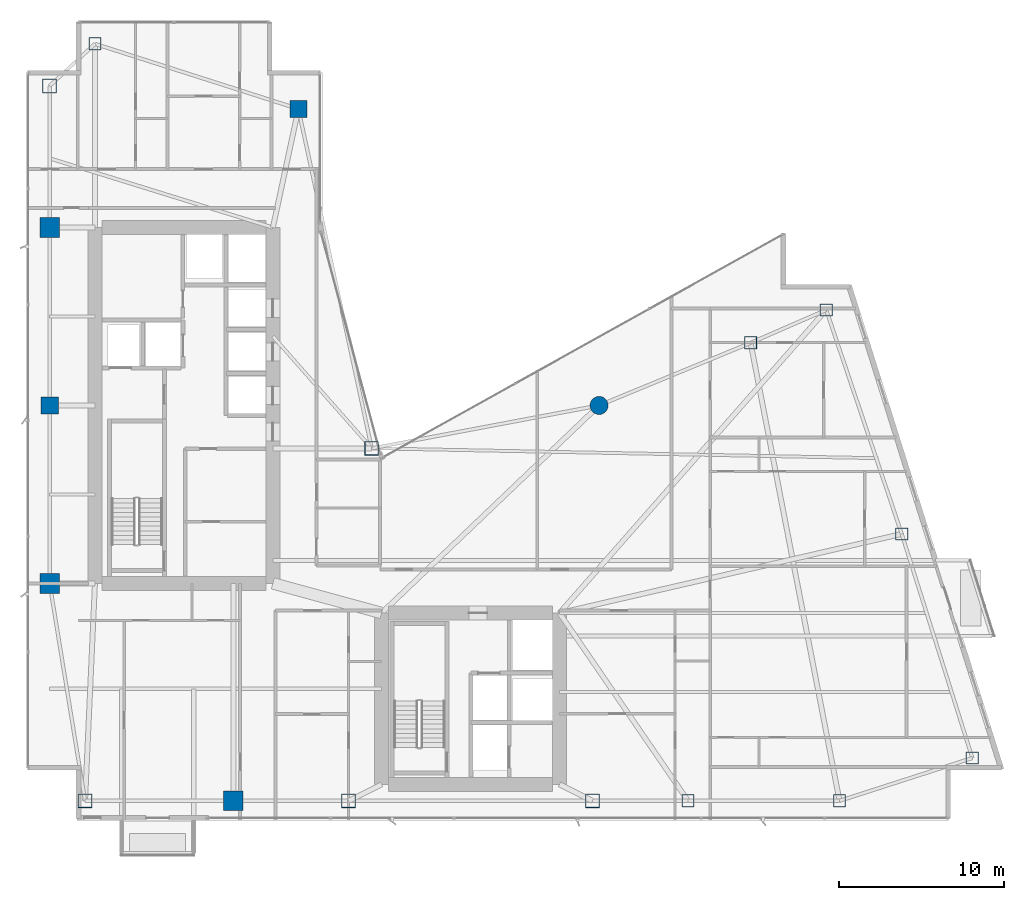
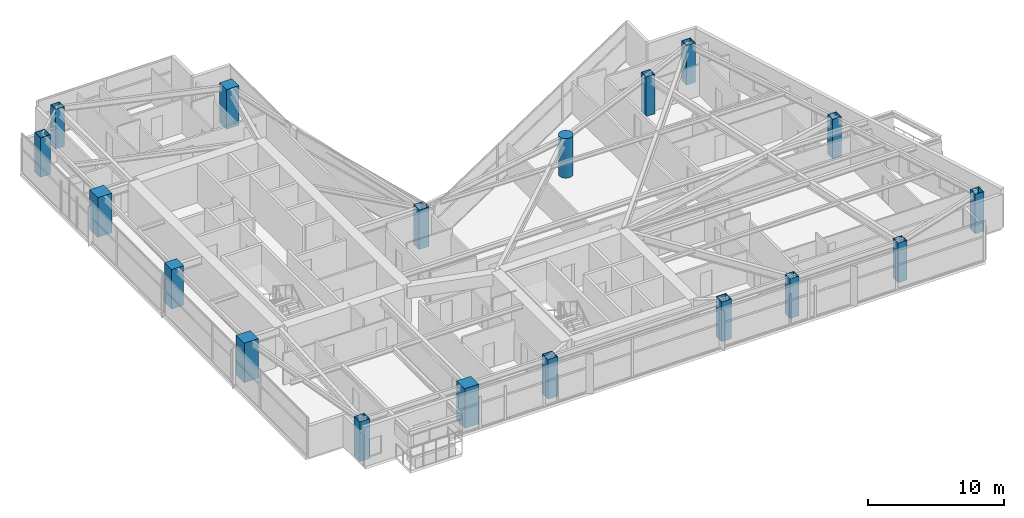
# One storey, part 1 of 28: 18 columns.
"""IFC4 building model written with IfcOpenShell, lengths in metres."""

from ifc_helpers import new_model, si_unit, direction, frame, origin, origin_2d, place, context, subcontext, project, spatial, rectangle, hollow_rectangle, circle, extrude, material, material_profile, profile_set, type_object, element, save


model = new_model("IFC4")

# Units and contexts
model_context = context("Model", 3, precision=1e-05, world=origin(), true_north=direction((0.0, 1.0)))
body_context = subcontext(model_context, "Body", "Model", "MODEL_VIEW")
ifc_project = project(units=[si_unit("LENGTHUNIT", "METRE"), si_unit("AREAUNIT", "SQUARE_METRE"), si_unit("VOLUMEUNIT", "CUBIC_METRE"), si_unit("PLANEANGLEUNIT", "RADIAN"), si_unit("MASSUNIT", "GRAM", prefix="KILO")], contexts=[model_context])

# Site, building, storey
site_placement = place(None, origin())
site = spatial("IfcSite", under=ifc_project, at=site_placement, CompositionType="ELEMENT")
building_placement = place(site_placement, origin())
building = spatial("IfcBuilding", under=site, at=building_placement, Name="Calvorn Quay Hotel", CompositionType="ELEMENT")
storey_placement = place(building_placement, frame((0.0, 0.0, 127.800048828125)))
storey = spatial("IfcBuildingStorey", under=building, at=storey_placement, Name="L31", CompositionType="ELEMENT", Elevation=127.800048828125)

# Columns
ifc_material_1 = material(Name="Concrete C50", Category="concrete")
ifc_material_profile_1 = material_profile(ifc_material_1, rectangle(XDim=1.050048828125, YDim=1.050048828125, at=origin_2d()), Name="RC1050x1050")
ifc_profile_set_1 = profile_set([ifc_material_profile_1], Name="Concrete C50")
column_type_1 = type_object("IfcColumnType", Name="COL-RC-1050", PredefinedType="COLUMN", material=ifc_profile_set_1)
for number, where, z_axis, x_axis, name in (
    (1, (1.449951171875, 27.60009765625, 0.0), (0.0, 0.0, 1.0), (1.0, 0.0, 0.0), "Column C-W3 (L31)"),
    (2, (16.550048828125, 45.60009765625, 0.0), (0.0, 0.0, 1.0), (1.0, 0.0, 0.0), "Column C-IC1 (L31)"),
):
    element("IfcColumn", number, at=place(storey_placement, frame(where, z_axis=z_axis, x_axis=x_axis)), inside=storey, type_object=column_type_1, Name=name, PredefinedType="COLUMN", context=body_context, shape_type="SweptSolid", body=[
        extrude(rectangle(XDim=1.050048828125, YDim=1.050048828125, at=origin_2d()), origin(), (0.0, 0.0, 1.0), 3.56005859375),
    ])
ifc_material_2 = material(Name="Concrete C50", Category="concrete")
ifc_material_profile_2 = material_profile(ifc_material_2, rectangle(XDim=1.199951171875, YDim=1.199951171875, at=origin_2d()), Name="RC1200x1200")
ifc_profile_set_2 = profile_set([ifc_material_profile_2], Name="Concrete C50")
column_type_2 = type_object("IfcColumnType", Name="COL-RC-1200", PredefinedType="COLUMN", material=ifc_profile_set_2)
for number, where, z_axis, x_axis, name in (
    (3, (1.449951171875, 16.800048828125, 0.0), (0.0, 0.0, 1.0), (1.0, 0.0, 0.0), "Column C-W2 (L31)"),
    (4, (1.449951171875, 38.39990234375, 0.0), (0.0, 0.0, 1.0), (1.0, 0.0, 0.0), "Column C-W4 (L31)"),
    (5, (12.60009765625, 3.60009765625, 0.0), (0.0, 0.0, 1.0), (1.0, 0.0, 0.0), "Column C-S1 (L31)"),
):
    element("IfcColumn", number, at=place(storey_placement, frame(where, z_axis=z_axis, x_axis=x_axis)), inside=storey, type_object=column_type_2, Name=name, PredefinedType="COLUMN", context=body_context, shape_type="SweptSolid", body=[
        extrude(rectangle(XDim=1.199951171875, YDim=1.199951171875, at=origin_2d()), origin(), (0.0, 0.0, 1.0), 3.56005859375),
    ])
ifc_material_3 = material(Name="Concrete C50", Category="concrete")
ifc_material_profile_3 = material_profile(ifc_material_3, circle(Radius=0.550048828125, at=origin_2d()), Name="RCD1100")
ifc_profile_set_3 = profile_set([ifc_material_profile_3], Name="Concrete C50")
column_type_3 = type_object("IfcColumnType", Name="COL-RC-D1100", PredefinedType="COLUMN", material=ifc_profile_set_3)
column_placement = place(storey_placement, frame((34.800048828125, 27.60009765625, 0.0), z_axis=(0.0, 0.0, 1.0), x_axis=(1.0, 0.0, 0.0)))
element("IfcColumn", 6, at=column_placement, inside=storey, type_object=column_type_3, Name="Column C-NC1 (L31)", PredefinedType="COLUMN", context=body_context, shape_type="SweptSolid", body=[
    extrude(circle(Radius=0.550048828125, at=origin_2d()), origin(), (0.0, 0.0, 1.0), 3.56005859375),
])
ifc_material_4 = material(Name="Steel Q390GJC", Category="steel")
ifc_material_profile_4 = material_profile(ifc_material_4, hollow_rectangle(XDim=0.85009765625, YDim=0.85009765625, WallThickness=0.035888671875, at=origin_2d()), Name="BOX850x850x36")
ifc_profile_set_4 = profile_set([ifc_material_profile_4], Name="Steel Q390GJC")
column_type_4 = type_object("IfcColumnType", Name="COL-STL-Z2", PredefinedType="COLUMN", material=ifc_profile_set_4)
for number, where, z_axis, x_axis, name in (
    (7, (3.60009765625, 3.60009765625, 0.0), (0.0, 0.0, 1.0), (1.0, 0.0, 0.0), "Column C-W1 (L31)"),
    (8, (1.449951171875, 47.0, 0.0), (0.0, 0.0, 1.0), (1.0, 0.0, 0.0), "Column C-W5 (L31)"),
    (9, (21.0, 25.0, 0.0), (0.0, 0.0, 1.0), (1.0, 0.0, 0.0), "Column C-IC2 (L31)"),
    (10, (19.60009765625, 3.60009765625, 0.0), (0.0, 0.0, 1.0), (1.0, 0.0, 0.0), "Column C-S2 (L31)"),
    (11, (34.39990234375, 3.60009765625, 0.0), (0.0, 0.0, 1.0), (1.0, 0.0, 0.0), "Column C-S3 (L31)"),
):
    element("IfcColumn", number, at=place(storey_placement, frame(where, z_axis=z_axis, x_axis=x_axis)), inside=storey, type_object=column_type_4, Name=name, PredefinedType="COLUMN", context=body_context, shape_type="SweptSolid", body=[
        extrude(hollow_rectangle(XDim=0.85009765625, YDim=0.85009765625, WallThickness=0.035888671875, at=origin_2d()), origin(), (0.0, 0.0, 1.0), 3.56005859375),
    ])
ifc_material_5 = material(Name="Steel Q390GJC", Category="steel")
ifc_material_profile_5 = material_profile(ifc_material_5, hollow_rectangle(XDim=0.75, YDim=0.75, WallThickness=0.031982421875, at=origin_2d()), Name="BOX750x750x32")
ifc_profile_set_5 = profile_set([ifc_material_profile_5], Name="Steel Q390GJC")
column_type_5 = type_object("IfcColumnType", Name="COL-STL-Z3", PredefinedType="COLUMN", material=ifc_profile_set_5)
for number, where, z_axis, x_axis, name in (
    (12, (4.199951171875, 49.550048828125, 0.0), (0.0, 0.0, 1.0), (1.0, 0.0, 0.0), "Column C-NW1 (L31)"),
    (13, (40.199951171875, 3.60009765625, 0.0), (0.0, 0.0, 1.0), (1.0, 0.0, 0.0), "Column C-S4 (L31)"),
    (14, (49.39990234375, 3.60009765625, 0.0), (0.0, 0.0, 1.0), (1.0, 0.0, 0.0), "Column C-S5 (L31)"),
    (15, (44.0, 31.39990234375, 0.0), (0.0, 0.0, 1.0), (1.0, 0.0, 0.0), "Column C-NC2 (L31)"),
    (16, (57.4609375, 6.199951171875, 0.0), (0.0, 0.0, 1.0), (1.0, 0.0, 0.0), "Column C-ET1 (L31)"),
    (17, (53.176025390625, 19.800048828125, 0.0), (0.0, 0.0, 1.0), (1.0, 0.0, 0.0), "Column C-ET2 (L31)"),
    (18, (48.591064453125, 33.39990234375, 0.0), (0.0, 0.0, 1.0), (1.0, 0.0, 0.0), "Column C-ET3 (L31)"),
):
    element("IfcColumn", number, at=place(storey_placement, frame(where, z_axis=z_axis, x_axis=x_axis)), inside=storey, type_object=column_type_5, Name=name, PredefinedType="COLUMN", context=body_context, shape_type="SweptSolid", body=[
        extrude(hollow_rectangle(XDim=0.75, YDim=0.75, WallThickness=0.031982421875, at=origin_2d()), origin(), (0.0, 0.0, 1.0), 3.56005859375),
    ])

save(model, "model.ifc")
